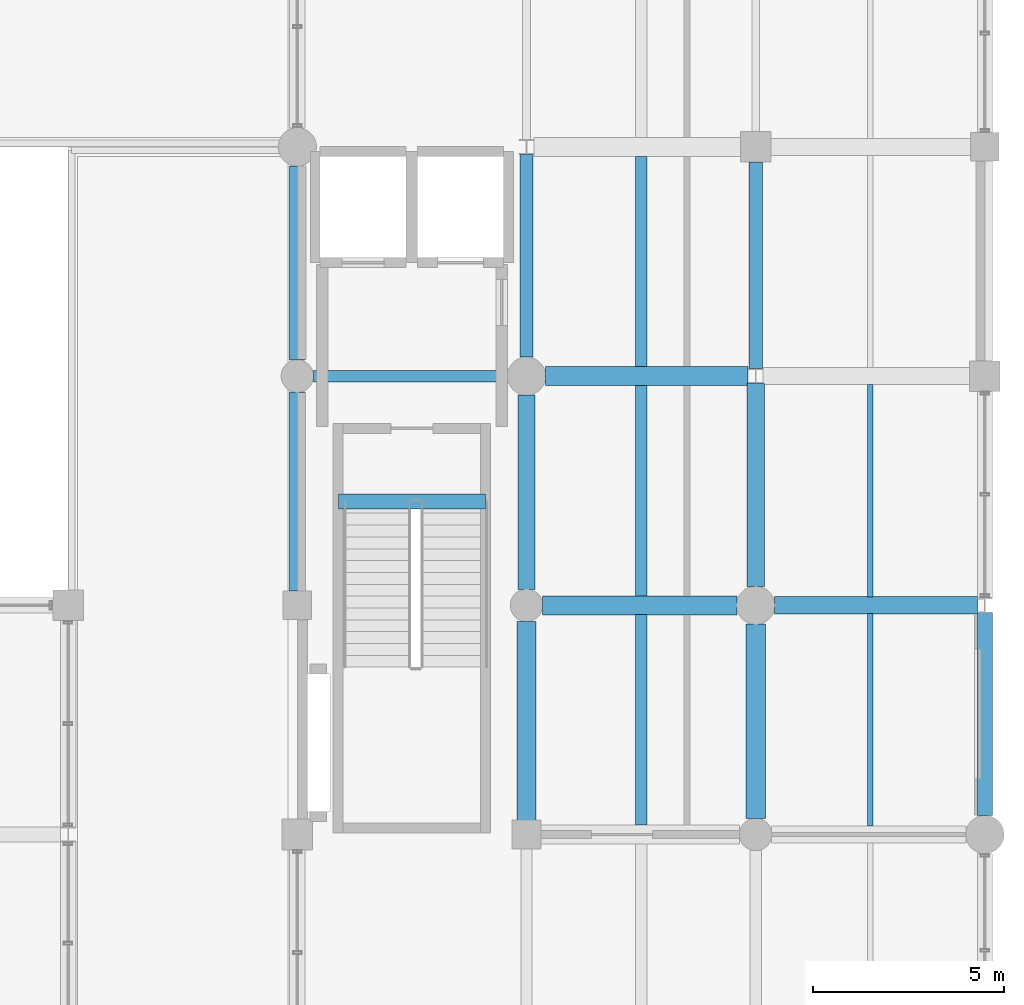
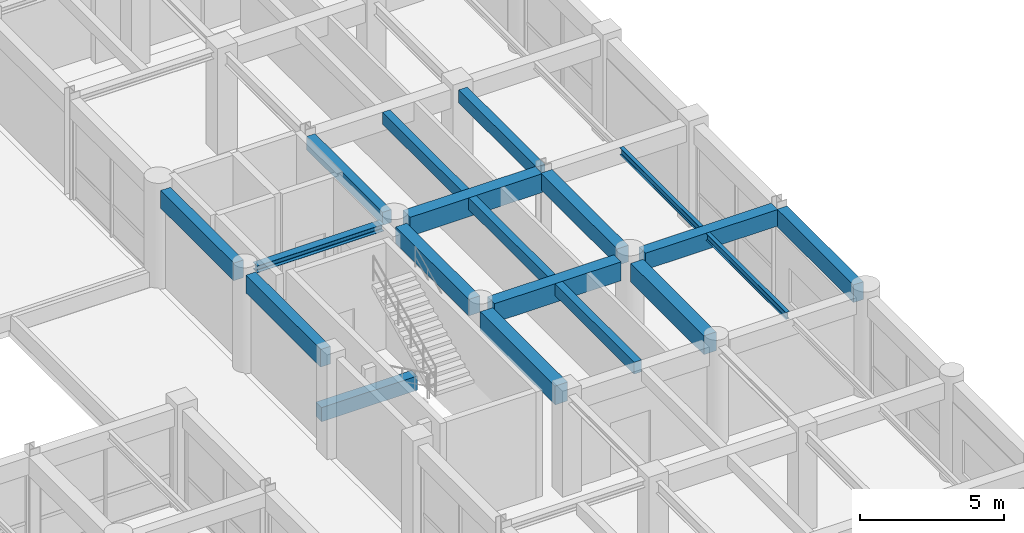
# One storey, part 75 of 133: 19 beams.
"""IFC4 building model written with IfcOpenShell, lengths in metres."""

from ifc_helpers import new_model, si_unit, direction, frame, origin, origin_2d, place, context, subcontext, project, spatial, rectangle, i_section, extrude, material, material_profile, profile_set, type_object, element, save


model = new_model("IFC4")

# Units and contexts
model_context = context("Model", 3, precision=1e-05, world=origin(), true_north=direction((0.0, 1.0)))
body_context = subcontext(model_context, "Body", "Model", "MODEL_VIEW")
ifc_project = project(units=[si_unit("LENGTHUNIT", "METRE"), si_unit("AREAUNIT", "SQUARE_METRE"), si_unit("VOLUMEUNIT", "CUBIC_METRE"), si_unit("PLANEANGLEUNIT", "RADIAN"), si_unit("MASSUNIT", "GRAM", prefix="KILO"), si_unit("THERMODYNAMICTEMPERATUREUNIT", "KELVIN"), si_unit("POWERUNIT", "WATT")], contexts=[model_context])

# Site, building, storey
site_placement = place(None, origin())
site = spatial("IfcSite", under=ifc_project, at=site_placement, CompositionType="ELEMENT")
building_placement = place(site_placement, origin())
building = spatial("IfcBuilding", under=site, at=building_placement, Name="Phaisarnlok Congress Hotel", CompositionType="ELEMENT")
storey_placement = place(building_placement, frame((0.0, 0.0, 6.0)))
storey = spatial("IfcBuildingStorey", under=building, at=storey_placement, Name="L01", CompositionType="ELEMENT", Elevation=6.0)

# Beams
ifc_material_1 = material(Name="Concrete C40/50", Category="concrete")
ifc_material_profile_1 = material_profile(ifc_material_1, rectangle(XDim=0.35009765625, YDim=0.550048828125, at=origin_2d()), Name="RC 350x550")
ifc_profile_set_1 = profile_set([ifc_material_profile_1], Name="Concrete C40/50")
beam_type_1 = type_object("IfcBeamType", Name="BM-RC-350x550", PredefinedType="BEAM", material=ifc_profile_set_1)
beam_1_placement = place(storey_placement, frame((168.0, 90.4951171875, 3.945068359375), z_axis=(0.0, 1.0, 0.0), x_axis=(-1.0, 0.0, 0.0)))
element("IfcBeam", 1, at=beam_1_placement, inside=storey, type_object=beam_type_1, Name="Beam B-01", PredefinedType="BEAM", context=body_context, shape_type="SweptSolid", body=[
    extrude(rectangle(XDim=0.35009765625, YDim=0.550048828125, at=origin_2d()), origin(), (0.0, 0.0, 1.0), 5.310302734375),
])
beam_2_placement = place(storey_placement, frame((174.0, 90.194580078125, 3.945068359375), z_axis=(0.0, 1.0, 0.0), x_axis=(-1.0, 0.0, 0.0)))
element("IfcBeam", 2, at=beam_2_placement, inside=storey, type_object=beam_type_1, Name="Beam B-01", PredefinedType="BEAM", context=body_context, shape_type="SweptSolid", body=[
    extrude(rectangle(XDim=0.35009765625, YDim=0.550048828125, at=origin_2d()), origin(), (0.0, 0.0, 1.0), 5.410400390625),
])
ifc_material_profile_2 = material_profile(ifc_material_1, rectangle(XDim=0.39990234375, YDim=0.60009765625, at=origin_2d()), Name="RC 400x600")
ifc_profile_set_2 = profile_set([ifc_material_profile_2], Name="Concrete C40/50")
beam_type_2 = type_object("IfcBeamType", Name="BM-RC-400x600", PredefinedType="BEAM", material=ifc_profile_set_2)
beam_3_placement = place(storey_placement, frame((163.080078125, 86.719970703125, -0.300048828125), z_axis=(1.0, 0.0, 0.0), x_axis=(0.0, 1.0, 0.0)))
element("IfcBeam", 3, at=beam_3_placement, inside=storey, type_object=beam_type_2, Name="Stair landing header beam B-02 (CORE-3 L01)", PredefinedType="BEAM", context=body_context, shape_type="SweptSolid", body=[
    extrude(rectangle(XDim=0.39990234375, YDim=0.60009765625, at=origin_2d()), origin(), (0.0, 0.0, 1.0), 3.83984375),
])
ifc_material_profile_3 = material_profile(ifc_material_1, rectangle(XDim=0.449951171875, YDim=0.699951171875, at=origin_2d()), Name="RC 450x700")
ifc_profile_set_3 = profile_set([ifc_material_profile_3], Name="Concrete C40/50")
beam_type_3 = type_object("IfcBeamType", Name="BM-RC-450x700", PredefinedType="BEAM", material=ifc_profile_set_3)
beam_4_placement = place(storey_placement, frame((168.0, 84.419921875, 3.8701171875), z_axis=(0.0, 1.0, 0.0), x_axis=(-1.0, 0.0, 0.0)))
element("IfcBeam", 4, at=beam_4_placement, inside=storey, type_object=beam_type_3, Name="Beam B-03", PredefinedType="BEAM", context=body_context, shape_type="SweptSolid", body=[
    extrude(rectangle(XDim=0.449951171875, YDim=0.699951171875, at=origin_2d()), origin(), (0.0, 0.0, 1.0), 5.0849609375),
])
beam_5_placement = place(storey_placement, frame((174.4951171875, 84.0, 3.8701171875), z_axis=(1.0, 0.0, 0.0), x_axis=(0.0, 1.0, 0.0)))
element("IfcBeam", 5, at=beam_5_placement, inside=storey, type_object=beam_type_3, Name="Beam B-03", PredefinedType="BEAM", context=body_context, shape_type="SweptSolid", body=[
    extrude(rectangle(XDim=0.449951171875, YDim=0.699951171875, at=origin_2d()), origin(), (0.0, 0.0, 1.0), 5.309326171875),
])
beam_6_placement = place(storey_placement, frame((174.0, 84.4951171875, 3.8701171875), z_axis=(0.0, 1.0, 0.0), x_axis=(-1.0, 0.0, 0.0)))
element("IfcBeam", 6, at=beam_6_placement, inside=storey, type_object=beam_type_3, Name="Beam B-03", PredefinedType="BEAM", context=body_context, shape_type="SweptSolid", body=[
    extrude(rectangle(XDim=0.449951171875, YDim=0.699951171875, at=origin_2d()), origin(), (0.0, 0.0, 1.0), 5.310302734375),
])
ifc_material_profile_4 = material_profile(ifc_material_1, rectangle(XDim=0.5, YDim=0.800048828125, at=origin_2d()), Name="RC 500x800")
ifc_profile_set_4 = profile_set([ifc_material_profile_4], Name="Concrete C40/50")
beam_type_4 = type_object("IfcBeamType", Name="BM-RC-500x800", PredefinedType="BEAM", material=ifc_profile_set_4)
beam_7_placement = place(storey_placement, frame((168.0, 78.3701171875, 3.820068359375), z_axis=(0.0, 1.0, 0.0), x_axis=(-1.0, 0.0, 0.0)))
element("IfcBeam", 7, at=beam_7_placement, inside=storey, type_object=beam_type_4, Name="Beam B-04", PredefinedType="BEAM", context=body_context, shape_type="SweptSolid", body=[
    extrude(rectangle(XDim=0.5, YDim=0.800048828125, at=origin_2d()), origin(), (0.0, 0.0, 1.0), 5.2099609375),
])
beam_8_placement = place(storey_placement, frame((168.419921875, 84.0, 3.820068359375), z_axis=(1.0, 0.0, 0.0), x_axis=(0.0, 1.0, 0.0)))
element("IfcBeam", 8, at=beam_8_placement, inside=storey, type_object=beam_type_4, Name="Beam B-04", PredefinedType="BEAM", context=body_context, shape_type="SweptSolid", body=[
    extrude(rectangle(XDim=0.5, YDim=0.800048828125, at=origin_2d()), origin(), (0.0, 0.0, 1.0), 5.0849609375),
])
beam_9_placement = place(storey_placement, frame((168.4951171875, 90.0, 3.820068359375), z_axis=(1.0, 0.0, 0.0), x_axis=(0.0, 1.0, 0.0)))
element("IfcBeam", 9, at=beam_9_placement, inside=storey, type_object=beam_type_4, Name="Beam B-04", PredefinedType="BEAM", context=body_context, shape_type="SweptSolid", body=[
    extrude(rectangle(XDim=0.5, YDim=0.800048828125, at=origin_2d()), origin(), (0.0, 0.0, 1.0), 5.309326171875),
])
beam_10_placement = place(storey_placement, frame((174.0, 78.419921875, 3.820068359375), z_axis=(0.0, 1.0, 0.0), x_axis=(-1.0, 0.0, 0.0)))
element("IfcBeam", 10, at=beam_10_placement, inside=storey, type_object=beam_type_4, Name="Beam B-04", PredefinedType="BEAM", context=body_context, shape_type="SweptSolid", body=[
    extrude(rectangle(XDim=0.5, YDim=0.800048828125, at=origin_2d()), origin(), (0.0, 0.0, 1.0), 5.0849609375),
])
ifc_material_2 = material(Name="Steel S355", Category="steel")
ifc_material_profile_5 = material_profile(ifc_material_2, i_section(OverallWidth=0.300048828125, OverallDepth=0.2900390625, WebThickness=0.008544921875, FlangeThickness=0.013916015625, FilletRadius=0.027099609375, at=origin_2d()), Name="HEA 300")
ifc_profile_set_5 = profile_set([ifc_material_profile_5], Name="Steel S355")
beam_type_5 = type_object("IfcBeamType", Name="BM-STL-HEA300", PredefinedType="BEAM", material=ifc_profile_set_5)
beam_11_placement = place(storey_placement, frame((162.419921875, 90.0, 4.074951171875), z_axis=(1.0, 0.0, 0.0), x_axis=(0.0, 1.0, 0.0)))
element("IfcBeam", 11, at=beam_11_placement, inside=storey, type_object=beam_type_5, Name="Beam SB-05", PredefinedType="BEAM", context=body_context, shape_type="SweptSolid", body=[
    extrude(i_section(OverallWidth=0.300048828125, OverallDepth=0.2900390625, WebThickness=0.008544921875, FlangeThickness=0.013916015625, FilletRadius=0.027099609375, at=origin_2d()), origin(), (0.0, 0.0, 1.0), 5.0849609375),
])
ifc_material_profile_6 = material_profile(ifc_material_1, rectangle(XDim=0.300048828125, YDim=0.5, at=origin_2d()), Name="RC 300x500")
ifc_profile_set_6 = profile_set([ifc_material_profile_6], Name="Concrete C40/50")
beam_type_6 = type_object("IfcBeamType", Name="JS-RC-300x500", PredefinedType="JOIST", material=ifc_profile_set_6)
for number, where, z_axis, x_axis, name in (
    (12, (171.0, 78.2451171875, 3.969970703125), (0.0, 1.0, 0.0), (-1.0, 0.0, 0.0), "Secondary floor joist J-01"),
    (13, (171.0, 84.2451171875, 3.969970703125), (0.0, 1.0, 0.0), (-1.0, 0.0, 0.0), "Secondary floor joist J-01"),
    (14, (171.0, 90.2451171875, 3.969970703125), (0.0, 1.0, 0.0), (-1.0, 0.0, 0.0), "Secondary floor joist J-01"),
):
    element("IfcBeam", number, at=place(storey_placement, frame(where, z_axis=z_axis, x_axis=x_axis)), inside=storey, type_object=beam_type_6, Name=name, PredefinedType="JOIST", context=body_context, shape_type="SweptSolid", body=[
        extrude(rectangle(XDim=0.300048828125, YDim=0.5, at=origin_2d()), origin(), (0.0, 0.0, 1.0), 5.509765625),
    ])
ifc_material_profile_7 = material_profile(ifc_material_2, i_section(OverallWidth=0.14990234375, OverallDepth=0.300048828125, WebThickness=0.007080078125, FlangeThickness=0.0107421875, FilletRadius=0.014892578125, at=origin_2d()), Name="IPE 300")
ifc_profile_set_7 = profile_set([ifc_material_profile_7], Name="Steel S355")
beam_type_7 = type_object("IfcBeamType", Name="JS-STL-IPE300", PredefinedType="JOIST", material=ifc_profile_set_7)
for number, where, z_axis, x_axis, name in (
    (15, (177.0, 78.219970703125, 4.070068359375), (0.0, 1.0, 0.0), (-1.0, 0.0, 0.0), "Secondary floor joist J-03"),
    (16, (177.0, 84.219970703125, 4.070068359375), (0.0, 1.0, 0.0), (-1.0, 0.0, 0.0), "Secondary floor joist J-03"),
):
    element("IfcBeam", number, at=place(storey_placement, frame(where, z_axis=z_axis, x_axis=x_axis)), inside=storey, type_object=beam_type_7, Name=name, PredefinedType="JOIST", context=body_context, shape_type="SweptSolid", body=[
        extrude(i_section(OverallWidth=0.14990234375, OverallDepth=0.300048828125, WebThickness=0.007080078125, FlangeThickness=0.0107421875, FilletRadius=0.014892578125, at=origin_2d()), origin(), (0.0, 0.0, 1.0), 5.56005859375),
    ])
ifc_material_profile_8 = material_profile(ifc_material_1, rectangle(XDim=0.39990234375, YDim=0.75, at=origin_2d()), Name="RC 400x750")
ifc_profile_set_8 = profile_set([ifc_material_profile_8], Name="Concrete C40/50")
beam_type_8 = type_object("IfcBeamType", Name="SP-RC-400x750", PredefinedType="SPANDREL", material=ifc_profile_set_8)
beam_12_placement = place(storey_placement, frame((162.0, 84.3701171875, 3.844970703125), z_axis=(0.0, 1.0, 0.0), x_axis=(-1.0, 0.0, 0.0)))
element("IfcBeam", 17, at=beam_12_placement, inside=storey, type_object=beam_type_8, Name="Beam SP-02", PredefinedType="SPANDREL", context=body_context, shape_type="SweptSolid", body=[
    extrude(rectangle(XDim=0.39990234375, YDim=0.75, at=origin_2d()), origin(), (0.0, 0.0, 1.0), 5.2099609375),
])
beam_13_placement = place(storey_placement, frame((162.0, 90.419921875, 3.844970703125), z_axis=(0.0, 1.0, 0.0), x_axis=(-1.0, 0.0, 0.0)))
element("IfcBeam", 18, at=beam_13_placement, inside=storey, type_object=beam_type_8, Name="Beam SP-02", PredefinedType="SPANDREL", context=body_context, shape_type="SweptSolid", body=[
    extrude(rectangle(XDim=0.39990234375, YDim=0.75, at=origin_2d()), origin(), (0.0, 0.0, 1.0), 5.0849609375),
])
beam_14_placement = place(storey_placement, frame((180.0, 78.4951171875, 3.844970703125), z_axis=(0.0, 1.0, 0.0), x_axis=(-1.0, 0.0, 0.0)))
element("IfcBeam", 19, at=beam_14_placement, inside=storey, type_object=beam_type_8, Name="Beam SP-02", PredefinedType="SPANDREL", context=body_context, shape_type="SweptSolid", body=[
    extrude(rectangle(XDim=0.39990234375, YDim=0.75, at=origin_2d()), origin(), (0.0, 0.0, 1.0), 5.310302734375),
])

save(model, "model.ifc")
